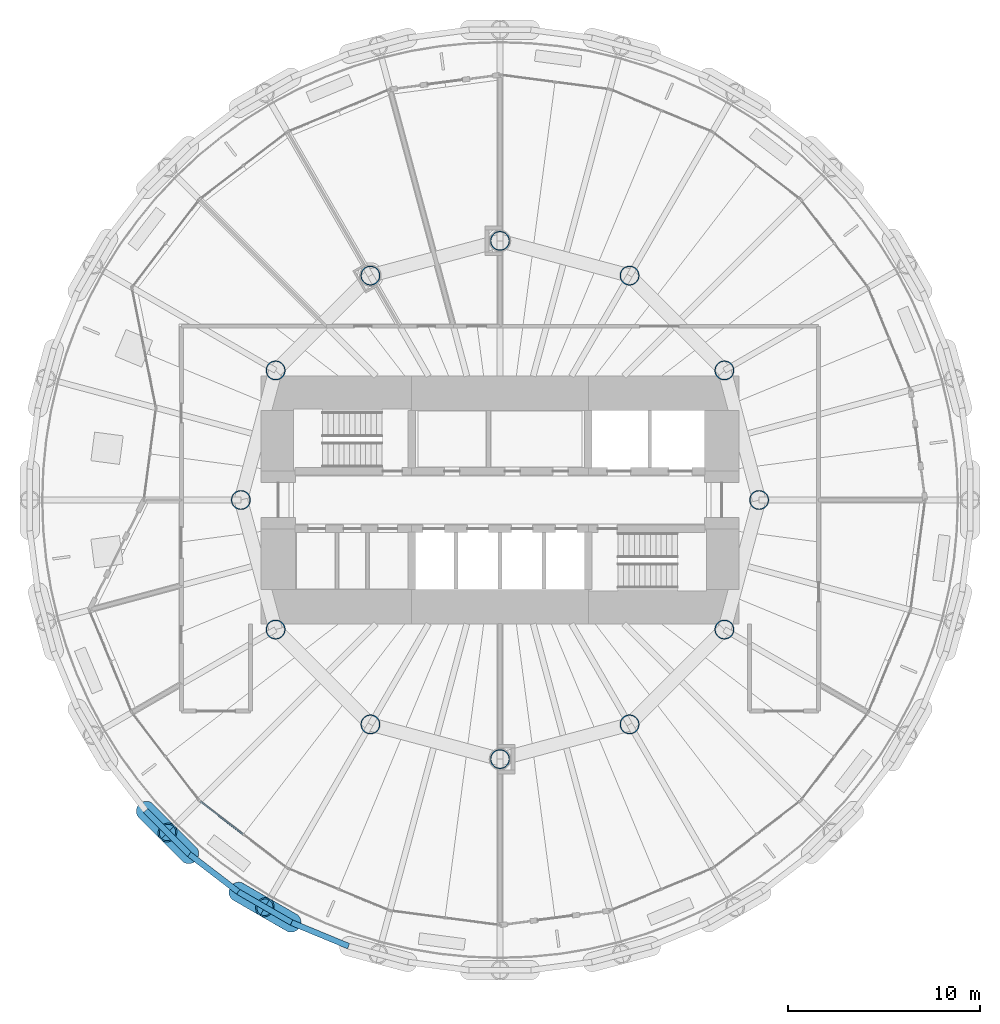
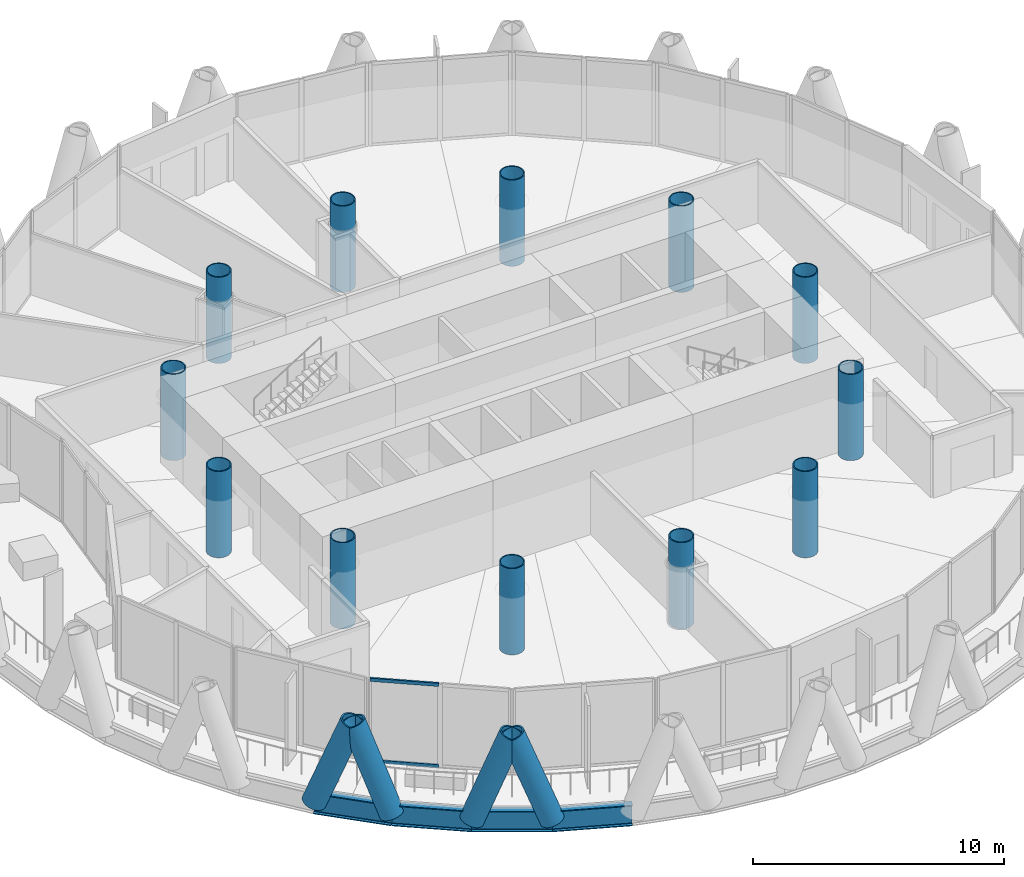
# One storey, part 1 of 16: 12 columns, 6 members, 4 beams, 1 element without a shape of its own.
"""IFC4 building model written with IfcOpenShell, lengths in metres."""

from ifc_helpers import new_model, si_unit, direction, frame, origin, origin_2d, place, context, subcontext, project, spatial, rectangle, hollow_circle, i_section, extrude, material, material_profile, profile_set, type_object, element, aggregate, save


model = new_model("IFC4")

# Units and contexts
model_context = context("Model", 3, precision=1e-05, world=origin(), true_north=direction((0.0, 1.0)))
body_context = subcontext(model_context, "Body", "Model", "MODEL_VIEW")
ifc_project = project(units=[si_unit("LENGTHUNIT", "METRE"), si_unit("AREAUNIT", "SQUARE_METRE"), si_unit("VOLUMEUNIT", "CUBIC_METRE"), si_unit("PLANEANGLEUNIT", "RADIAN"), si_unit("MASSUNIT", "GRAM", prefix="KILO")], contexts=[model_context])

# Site, building, storey
site_placement = place(None, origin())
site = spatial("IfcSite", under=ifc_project, at=site_placement, CompositionType="ELEMENT")
building_placement = place(site_placement, origin())
building = spatial("IfcBuilding", under=site, at=building_placement, Name="Qaws Media Tower", CompositionType="ELEMENT")
storey_placement = place(building_placement, frame((0.0, 0.0, 173.0)))
storey = spatial("IfcBuildingStorey", under=building, at=storey_placement, Name="L39", CompositionType="ELEMENT", Elevation=173.0)

# Columns
ifc_material_1 = material(Name="Steel S460", Category="steel")
ifc_material_profile_1 = material_profile(ifc_material_1, hollow_circle(Radius=0.508056640625, WallThickness=0.050048828125, at=origin_2d()), Name="CHS 1016x50")
ifc_profile_set_1 = profile_set([ifc_material_profile_1], Name="Steel S460")
column_type = type_object("IfcColumnType", Name="Inner column CHS 1016x50", PredefinedType="COLUMN", material=ifc_profile_set_1)
for number, where, z_axis, x_axis, name in (
    (1, (73.5, 50.0, 0.0), (0.0, 0.0, 1.0), (1.0, 0.0, 0.0), "C2 inner column I01 L39"),
    (2, (71.69140625, 56.75, 0.0), (0.0, 0.0, 1.0), (1.0, 0.0, 0.0), "C2 inner column I02 L39"),
    (3, (66.75, 61.69140625, 0.0), (0.0, 0.0, 1.0), (1.0, 0.0, 0.0), "C2 inner column I03 L39"),
    (4, (60.0, 63.5, 0.0), (0.0, 0.0, 1.0), (1.0, 0.0, 0.0), "C2 inner column I04 L39"),
    (5, (53.25, 61.69140625, 0.0), (0.0, 0.0, 1.0), (1.0, 0.0, 0.0), "C2 inner column I05 L39"),
    (6, (48.30859375, 56.75, 0.0), (0.0, 0.0, 1.0), (1.0, 0.0, 0.0), "C2 inner column I06 L39"),
    (7, (46.5, 50.0, 0.0), (0.0, 0.0, 1.0), (1.0, 0.0, 0.0), "C2 inner column I07 L39"),
    (8, (48.30859375, 43.25, 0.0), (0.0, 0.0, 1.0), (1.0, 0.0, 0.0), "C2 inner column I08 L39"),
    (9, (53.25, 38.30859375, 0.0), (0.0, 0.0, 1.0), (1.0, 0.0, 0.0), "C2 inner column I09 L39"),
    (10, (60.0, 36.5, 0.0), (0.0, 0.0, 1.0), (1.0, 0.0, 0.0), "C2 inner column I10 L39"),
    (11, (66.75, 38.30859375, 0.0), (0.0, 0.0, 1.0), (1.0, 0.0, 0.0), "C2 inner column I11 L39"),
    (12, (71.69140625, 43.25, 0.0), (0.0, 0.0, 1.0), (1.0, 0.0, 0.0), "C2 inner column I12 L39"),
):
    element("IfcColumn", number, at=place(storey_placement, frame(where, z_axis=z_axis, x_axis=x_axis)), inside=storey, type_object=column_type, Name=name, PredefinedType="COLUMN", context=body_context, shape_type="SweptSolid", body=[
        extrude(hollow_circle(Radius=0.508056640625, WallThickness=0.050048828125, at=origin_2d()), origin(), (0.0, 0.0, 1.0), 4.199951171875),
    ])

# Curtain wall, members
ifc_material_2 = material(Name="Aluminium and clear glass", Category="aluminium")
curtain_wall_type = type_object("IfcCurtainWallType", Name="Unitised curtain wall CW-B", PredefinedType="NOTDEFINED", material=ifc_material_2)
curtain_wall_placement = place(storey_placement, origin())
curtain_wall = element("IfcCurtainWall", 13, at=curtain_wall_placement, inside=storey, type_object=curtain_wall_type, Name="CWB curtain wall L39-16", PredefinedType="NOTDEFINED")
ifc_material_3 = material(Name="Aluminium transom", Category="aluminium")
ifc_material_profile_2 = material_profile(ifc_material_3, rectangle(XDim=0.080078125, YDim=0.159912109375, at=origin_2d()), Name="80x160")
ifc_profile_set_2 = profile_set([ifc_material_profile_2], Name="Aluminium transom")
member_type_1 = type_object("IfcMemberType", Name="Curtain wall transom 80x160", PredefinedType="USERDEFINED", material=ifc_profile_set_2)
member_1_placement = place(storey_placement, frame((44.401123046875, 34.288818359375, 0.0400390625), z_axis=(0.793343959233, -0.608773654447, 0.0), x_axis=(0.608773654447, 0.793343959233, 0.0)))
member_1 = element("IfcMember", 14, at=member_1_placement, type_object=member_type_1, Name="CWB transom 1.1", ObjectType="TRANSOM", PredefinedType="USERDEFINED", context=body_context, shape_type="SweptSolid", body=[
    extrude(rectangle(XDim=0.080078125, YDim=0.159912109375, at=origin_2d()), origin(), (0.0, 0.0, 1.0), 2.771240234375),
])
member_2_placement = place(storey_placement, frame((44.401123046875, 34.288818359375, 4.0), z_axis=(0.793343959233, -0.608773654447, 0.0), x_axis=(0.608773654447, 0.793343959233, 0.0)))
member_2 = element("IfcMember", 15, at=member_2_placement, type_object=member_type_1, Name="CWB transom 1.2", ObjectType="TRANSOM", PredefinedType="USERDEFINED", context=body_context, shape_type="SweptSolid", body=[
    extrude(rectangle(XDim=0.080078125, YDim=0.159912109375, at=origin_2d()), origin(), (0.0, 0.0, 1.0), 2.771240234375),
])
aggregate(curtain_wall, [member_1, member_2])

# Members
ifc_material_4 = material(Name="Steel S460", Category="steel")
ifc_material_profile_3 = material_profile(ifc_material_4, hollow_circle(Radius=0.508056640625, WallThickness=0.070068359375, at=origin_2d()), Name="CHS 1016x70")
ifc_profile_set_3 = profile_set([ifc_material_profile_3], Name="Steel S460")
member_type_2 = type_object("IfcMemberType", Name="Diagrid member CHS 1016x70", PredefinedType="USERDEFINED", material=ifc_profile_set_3)
for number, where, z_axis, x_axis, name in (
    (16, (41.542236328125, 33.81298828125, -0.6640625), (0.252099674082, -0.252914124892, 0.934066485727), (0.708246232337, 0.705965490928, 0.0), "DG3 diagrid L39 A15"),
    (17, (46.36083984375, 29.58740234375, -0.6640625), (0.308952031339, -0.179018426595, 0.934077644134), (0.501353929975, 0.865242299532, 0.0), "DG3 diagrid L39 A16"),
    (18, (43.81298828125, 31.542236328125, -0.6640625), (-0.252914124892, 0.252099674082, 0.934066485727), (-0.705965490928, -0.708246232337, 0.0), "DG3 diagrid L39 B16"),
    (19, (49.141845703125, 27.981689453125, -0.6640625), (-0.309543146087, 0.178091829357, 0.934059067204), (-0.498691062685, -0.866779801332, 0.0), "DG3 diagrid L39 B17"),
):
    element("IfcMember", number, at=place(storey_placement, frame(where, z_axis=z_axis, x_axis=x_axis)), inside=storey, type_object=member_type_2, Name=name, ObjectType="DIAGRID", PredefinedType="USERDEFINED", context=body_context, shape_type="SweptSolid", body=[
        extrude(hollow_circle(Radius=0.508056640625, WallThickness=0.070068359375, at=origin_2d()), origin(), (0.0, 0.0, 1.0), 4.496337890625),
    ])

# Beams
ifc_material_5 = material(Name="Steel S460", Category="steel")
ifc_material_profile_4 = material_profile(ifc_material_5, i_section(OverallWidth=0.302001953125, OverallDepth=1.008056640625, WebThickness=0.02099609375, FlangeThickness=0.0400390625, FilletRadius=0.030029296875, at=origin_2d()), Name="HE 1000 M")
ifc_profile_set_4 = profile_set([ifc_material_profile_4], Name="Steel S460")
beam_type = type_object("IfcBeamType", Name="Edge ring beam HE 1000 M", PredefinedType="BEAM", material=ifc_profile_set_4)
for number, where, z_axis, x_axis, name in (
    (20, (41.542236328125, 33.81298828125, -0.6640625), (0.707106781187, -0.707106781187, 0.0), (0.707106781187, 0.707106781187, 0.0), "RB3 edge ring beam L39-30"),
    (21, (43.81298828125, 31.542236328125, -0.6640625), (0.793383610218, -0.608721978441, 0.0), (0.608721978441, 0.793383610218, 0.0), "RB3 edge ring beam L39-31"),
):
    element("IfcBeam", number, at=place(storey_placement, frame(where, z_axis=z_axis, x_axis=x_axis)), inside=storey, type_object=beam_type, Name=name, PredefinedType="BEAM", context=body_context, shape_type="SweptSolid", body=[
        extrude(i_section(OverallWidth=0.302001953125, OverallDepth=1.008056640625, WebThickness=0.02099609375, FlangeThickness=0.0400390625, FilletRadius=0.030029296875, at=origin_2d()), origin(), (0.0, 0.0, 1.0), 3.21142578125),
    ])
for number, where, z_axis, x_axis, name in (
    (22, (46.36083984375, 29.58740234375, -0.6640625), (0.866012133876, -0.500022983452, 0.0), (0.500022983452, 0.866012133876, 0.0), "RB3 edge ring beam L39-32"),
    (23, (49.141845703125, 27.981689453125, -0.6640625), (0.923893595769, -0.382649478893, 0.0), (0.382649478893, 0.923893595769, 0.0), "RB3 edge ring beam L39-33"),
):
    element("IfcBeam", number, at=place(storey_placement, frame(where, z_axis=z_axis, x_axis=x_axis)), inside=storey, type_object=beam_type, Name=name, PredefinedType="BEAM", context=body_context, shape_type="SweptSolid", body=[
        extrude(i_section(OverallWidth=0.302001953125, OverallDepth=1.008056640625, WebThickness=0.02099609375, FlangeThickness=0.0400390625, FilletRadius=0.030029296875, at=origin_2d()), origin(), (0.0, 0.0, 1.0), 3.211181640625),
    ])

save(model, "model.ifc")
